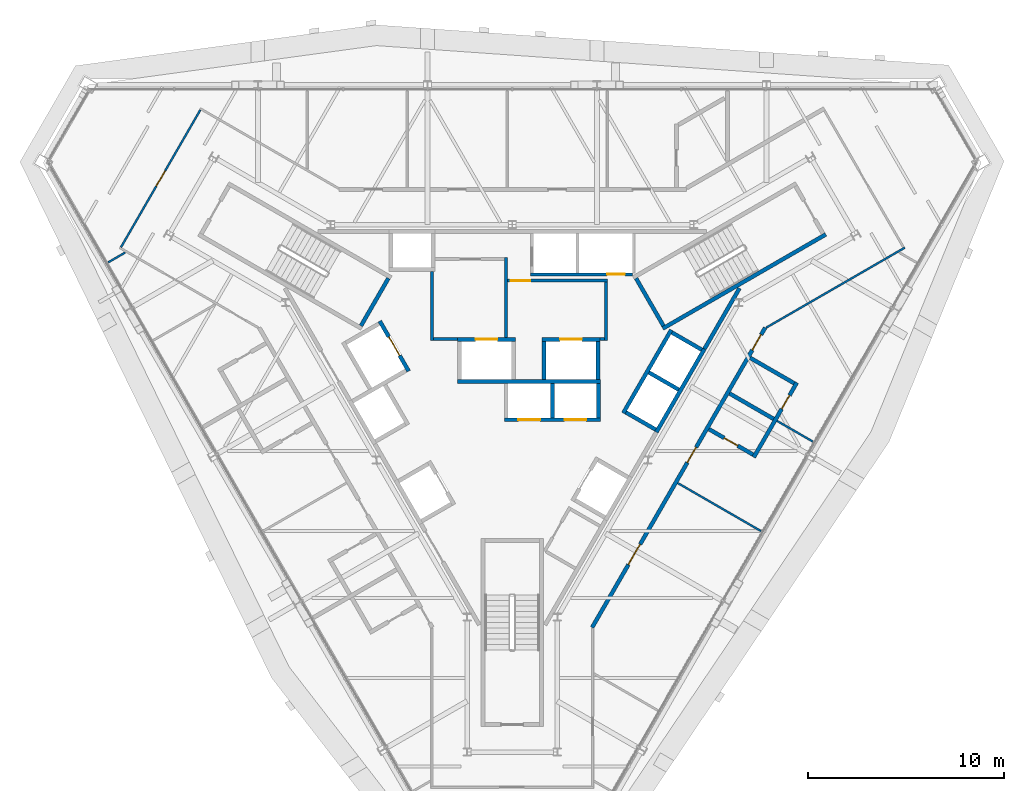
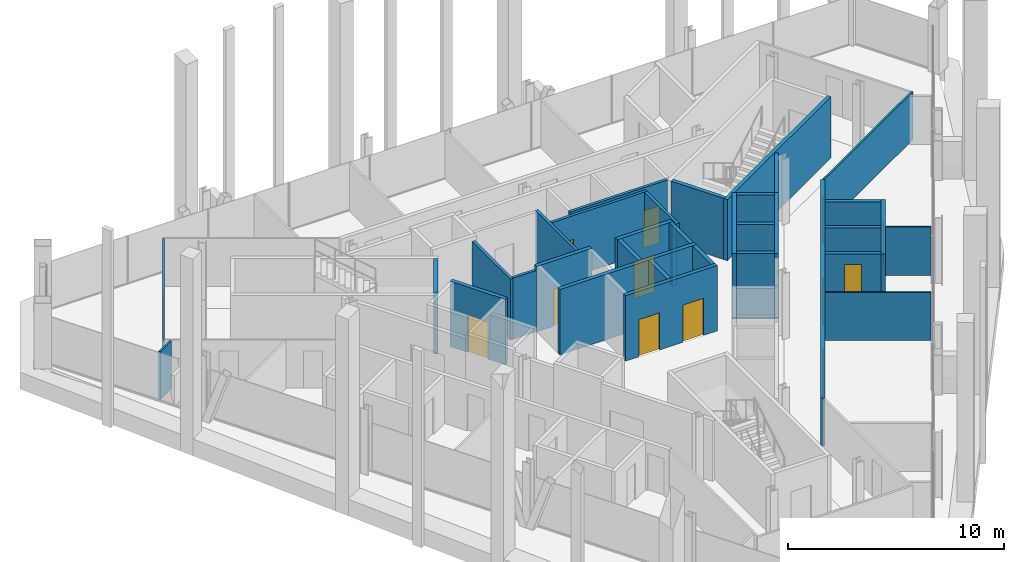
# One storey, part 10 of 14: 35 walls, 13 doors, 13 openings.
"""IFC4 building model written with IfcOpenShell, lengths in metres."""

from ifc_helpers import new_model, si_unit, direction, frame, frame_2d, origin, place, context, subcontext, project, spatial, rectangle, extrude, material, layer, layer_set, type_object, element, fill, save


model = new_model("IFC4")

# Units and contexts
model_context = context("Model", 3, precision=1e-05, world=origin(), true_north=direction((0.0, 1.0)))
body_context = subcontext(model_context, "Body", "Model", "MODEL_VIEW")
ifc_project = project(units=[si_unit("LENGTHUNIT", "METRE"), si_unit("AREAUNIT", "SQUARE_METRE"), si_unit("VOLUMEUNIT", "CUBIC_METRE"), si_unit("PLANEANGLEUNIT", "RADIAN"), si_unit("MASSUNIT", "GRAM", prefix="KILO")], contexts=[model_context])

# Site, building, storey
site_placement = place(None, origin())
site = spatial("IfcSite", under=ifc_project, at=site_placement, CompositionType="ELEMENT")
building_placement = place(site_placement, origin())
building = spatial("IfcBuilding", under=site, at=building_placement, Name="Verrane Prism Tower", CompositionType="ELEMENT")
storey_placement = place(building_placement, frame((0.0, 0.0, 206.39990234375)))
storey = spatial("IfcBuildingStorey", under=building, at=storey_placement, Name="L51", CompositionType="ELEMENT", Elevation=206.39990234375)

# Walls
ifc_material_1 = material(Name="Gypsum board partition", Category="other")
ifc_layer_1 = layer(ifc_material_1, 0.199951171875)
ifc_layer_set_1 = layer_set([ifc_layer_1], Name="CW-200 core boundary wall 2 h")
wall_type_1 = type_object("IfcWallType", Name="CW-200 core boundary wall 2 h", PredefinedType="PARTITIONING", material=ifc_layer_set_1)
wall_1_placement = place(storey_placement, frame((9.802978515625, 1.657958984375, 0.0), z_axis=(0.0, 0.0, 1.0), x_axis=(0.499943114462, 0.866058244174, 0.0)))
element("IfcWall", 1, at=wall_1_placement, inside=storey, type_object=wall_type_1, Name="Core boundary wall CW3-008", PredefinedType="PARTITIONING", context=body_context, shape_type="SweptSolid", body=[
    extrude(rectangle(XDim=3.57568359375, YDim=0.199951171875, at=frame_2d((1.787841796875, 0.0))), origin(), (0.0, 0.0, 1.0), 3.4501953125),
])
ifc_material_2 = material(Name="Concrete C40/50", Category="concrete")
ifc_layer_2 = layer(ifc_material_2, 0.199951171875)
ifc_layer_set_2 = layer_set([ifc_layer_2], Name="CW-200 stair core wall concrete C40/50 3 h")
wall_type_2 = type_object("IfcWallType", Name="CW-200 stair core wall concrete C40/50 3 h", PredefinedType="PARTITIONING", material=ifc_layer_set_2)
wall_2_placement = place(storey_placement, frame((7.67822265625, 2.700927734375, 0.0), z_axis=(0.0, 0.0, 1.0), x_axis=(0.866019993635, 0.500009370536, 0.0)))
element("IfcWall", 2, at=wall_2_placement, inside=storey, type_object=wall_type_2, Name="Stair 1 enclosure wall", PredefinedType="PARTITIONING", context=body_context, shape_type="SweptSolid", body=[
    extrude(rectangle(XDim=9.599853515625, YDim=0.199951171875, at=frame_2d((4.7998046875, 0.0))), origin(), (0.0, 0.0, 1.0), 3.4501953125),
])
for number, where, z_axis, x_axis, name in (
    (3, (7.71484375, 2.837646484375, 0.0), (0.0, 0.0, 1.0), (-0.500049511043, 0.865996816683, 0.0), "Stair 1 enclosure wall"),
    (4, (-6.314697265625, 5.262451171875, 0.0), (0.0, 0.0, 1.0), (-0.500049511043, -0.865996816683, 0.0), "Stair 2 enclosure wall"),
):
    element("IfcWall", number, at=place(storey_placement, frame(where, z_axis=z_axis, x_axis=x_axis)), inside=storey, type_object=wall_type_2, Name=name, PredefinedType="PARTITIONING", context=body_context, shape_type="SweptSolid", body=[
        extrude(rectangle(XDim=2.800048828125, YDim=0.199951171875, at=frame_2d((1.39990234375, 0.0))), origin(), (0.0, 0.0, 1.0), 3.4501953125),
    ])

# Wall, openings, doors
ifc_material_3 = material(Name="Gypsum board shaft wall assembly", Category="other")
ifc_layer_3 = layer(ifc_material_3, 0.199951171875)
ifc_layer_set_3 = layer_set([ifc_layer_3], Name="HW-200 lift shaft wall 2 h")
wall_type_3 = type_object("IfcWallType", Name="HW-200 lift shaft wall 2 h", PredefinedType="PARTITIONING", material=ifc_layer_set_3)
wall_3_placement = place(storey_placement, frame((-0.405029296875, -1.949951171875, 0.0), z_axis=(0.0, 0.0, 1.0), x_axis=(1.0, 0.0, 0.0)))
wall_3 = element("IfcWall", 5, at=wall_3_placement, inside=storey, type_object=wall_type_3, Name="Lift shaft wall", PredefinedType="PARTITIONING", context=body_context, shape_type="SweptSolid", body=[
    extrude(rectangle(XDim=4.900146484375, YDim=0.199951171875, at=frame_2d((2.4501953125, 0.0))), origin(), (0.0, 0.0, 1.0), 3.7001953125),
])
opening_1_placement = place(wall_3_placement, frame((0.72509765625, 0.0, 0.0)))
opening_1 = element("IfcOpeningElement", 6, at=opening_1_placement, cuts=wall_3, Name="Opening D51503", PredefinedType="OPENING", context=body_context, shape_type="SweptSolid", body=[
    extrude(rectangle(XDim=1.10009765625, YDim=2.10009765625, at=frame_2d((0.550048828125, 1.050048828125))), frame((0.0, 0.10986328125, 0.0), z_axis=(0.0, -1.0, 0.0), x_axis=(1.0, 0.0, 0.0)), (0.0, 0.0, 1.0), 0.219970703125),
])
opening_2_placement = place(wall_3_placement, frame((3.074951171875, 0.0, 0.0)))
opening_2 = element("IfcOpeningElement", 7, at=opening_2_placement, cuts=wall_3, Name="Opening D51504", PredefinedType="OPENING", context=body_context, shape_type="SweptSolid", body=[
    extrude(rectangle(XDim=1.10009765625, YDim=2.10009765625, at=frame_2d((0.550048828125, 1.050048828125))), frame((0.0, 0.10986328125, 0.0), z_axis=(0.0, -1.0, 0.0), x_axis=(1.0, 0.0, 0.0)), (0.0, 0.0, 1.0), 0.219970703125),
])
ifc_material_4 = material(Name="Stainless steel sliding landing door", Category="steel")
door_type_1 = type_object("IfcDoorType", Name="LD-1100x2100 lift landing door FD90 sliding", OperationType="NOTDEFINED", PredefinedType="DOOR", material=ifc_material_4)
door_1_placement = place(opening_1_placement, origin())
door_1 = element("IfcDoor", 8, at=door_1_placement, inside=storey, type_object=door_type_1, Name="Bank B lift 1 landing door", OperationType="SLIDING_TO_LEFT", OverallHeight=2.10009765625, OverallWidth=1.10009765625, PredefinedType="DOOR", context=body_context, shape_type="SweptSolid", body=[
    extrude(rectangle(XDim=1.10009765625, YDim=2.10009765625, at=frame_2d((0.550048828125, 1.050048828125))), frame((0.0, 0.02490234375, 0.0), z_axis=(0.0, -1.0, 0.0), x_axis=(1.0, 0.0, 0.0)), (0.0, 0.0, 1.0), 0.050048828125),
])
fill(opening_1, door_1)
door_2_placement = place(opening_2_placement, origin())
door_2 = element("IfcDoor", 9, at=door_2_placement, inside=storey, type_object=door_type_1, Name="Bank B lift 2 landing door", OperationType="SLIDING_TO_RIGHT", OverallHeight=2.10009765625, OverallWidth=1.10009765625, PredefinedType="DOOR", context=body_context, shape_type="SweptSolid", body=[
    extrude(rectangle(XDim=1.10009765625, YDim=2.10009765625, at=frame_2d((0.550048828125, 1.050048828125))), frame((0.0, 0.02490234375, 0.0), z_axis=(0.0, -1.0, 0.0), x_axis=(1.0, 0.0, 0.0)), (0.0, 0.0, 1.0), 0.050048828125),
])
fill(opening_2, door_2)

# Wall
wall_4_placement = place(storey_placement, frame((-2.784912109375, 0.0, 0.0), z_axis=(0.0, 0.0, 1.0), x_axis=(1.0, 0.0, 0.0)))
element("IfcWall", 10, at=wall_4_placement, inside=storey, type_object=wall_type_3, Name="Lift shaft wall", PredefinedType="PARTITIONING", context=body_context, shape_type="SweptSolid", body=[
    extrude(rectangle(XDim=7.280029296875, YDim=0.199951171875, at=frame_2d((3.64013671875, 0.0))), origin(), (0.0, 0.0, 1.0), 3.7001953125),
])

# Wall, opening, door
wall_5_placement = place(storey_placement, frame((-2.784912109375, 2.14990234375, 0.0), z_axis=(0.0, 0.0, 1.0), x_axis=(1.0, 0.0, 0.0)))
wall_5 = element("IfcWall", 11, at=wall_5_placement, inside=storey, type_object=wall_type_3, Name="Lift shaft wall", PredefinedType="PARTITIONING", context=body_context, shape_type="SweptSolid", body=[
    extrude(rectangle(XDim=2.949951171875, YDim=0.199951171875, at=frame_2d((1.47509765625, 0.0))), origin(), (0.0, 0.0, 1.0), 3.7001953125),
])
opening_3_placement = place(wall_5_placement, frame((0.925048828125, 0.0, 0.0)))
opening_3 = element("IfcOpeningElement", 12, at=opening_3_placement, cuts=wall_5, Name="Opening D51507", PredefinedType="OPENING", context=body_context, shape_type="SweptSolid", body=[
    extrude(rectangle(XDim=1.10009765625, YDim=2.10009765625, at=frame_2d((0.550048828125, 1.050048828125))), frame((0.0, 0.10986328125, 0.0), z_axis=(0.0, -1.0, 0.0), x_axis=(1.0, 0.0, 0.0)), (0.0, 0.0, 1.0), 0.219970703125),
])
door_3_placement = place(opening_3_placement, origin())
door_3 = element("IfcDoor", 13, at=door_3_placement, inside=storey, type_object=door_type_1, Name="Fire service lift 1 landing door", OperationType="SLIDING_TO_LEFT", OverallHeight=2.10009765625, OverallWidth=1.10009765625, PredefinedType="DOOR", context=body_context, shape_type="SweptSolid", body=[
    extrude(rectangle(XDim=1.10009765625, YDim=2.10009765625, at=frame_2d((0.550048828125, 1.050048828125))), frame((0.0, 0.02490234375, 0.0), z_axis=(0.0, -1.0, 0.0), x_axis=(1.0, 0.0, 0.0)), (0.0, 0.0, 1.0), 0.050048828125),
])
fill(opening_3, door_3)

wall_6_placement = place(storey_placement, frame((1.52490234375, 2.14990234375, 0.0), z_axis=(0.0, 0.0, 1.0), x_axis=(1.0, 0.0, 0.0)))
wall_6 = element("IfcWall", 14, at=wall_6_placement, inside=storey, type_object=wall_type_3, Name="Lift shaft wall", PredefinedType="PARTITIONING", context=body_context, shape_type="SweptSolid", body=[
    extrude(rectangle(XDim=2.9501953125, YDim=0.199951171875, at=frame_2d((1.47509765625, 0.0))), origin(), (0.0, 0.0, 1.0), 3.7001953125),
])
opening_4_placement = place(wall_6_placement, frame((0.925048828125, 0.0, 0.0)))
opening_4 = element("IfcOpeningElement", 15, at=opening_4_placement, cuts=wall_6, Name="Opening D51508", PredefinedType="OPENING", context=body_context, shape_type="SweptSolid", body=[
    extrude(rectangle(XDim=1.10009765625, YDim=2.10009765625, at=frame_2d((0.550048828125, 1.050048828125))), frame((0.0, 0.10986328125, 0.0), z_axis=(0.0, -1.0, 0.0), x_axis=(1.0, 0.0, 0.0)), (0.0, 0.0, 1.0), 0.219970703125),
])
door_4_placement = place(opening_4_placement, origin())
door_4 = element("IfcDoor", 16, at=door_4_placement, inside=storey, type_object=door_type_1, Name="Fire service lift 2 landing door", OperationType="SLIDING_TO_RIGHT", OverallHeight=2.10009765625, OverallWidth=1.10009765625, PredefinedType="DOOR", context=body_context, shape_type="SweptSolid", body=[
    extrude(rectangle(XDim=1.10009765625, YDim=2.10009765625, at=frame_2d((0.550048828125, 1.050048828125))), frame((0.0, 0.02490234375, 0.0), z_axis=(0.0, -1.0, 0.0), x_axis=(1.0, 0.0, 0.0)), (0.0, 0.0, 1.0), 0.050048828125),
])
fill(opening_4, door_4)

# Walls
wall_7_placement = place(storey_placement, frame((7.351318359375, -2.587158203125, 0.0), z_axis=(0.0, 0.0, 1.0), x_axis=(0.500002801628, 0.866023786258, 0.0)))
element("IfcWall", 17, at=wall_7_placement, inside=storey, type_object=wall_type_3, Name="Lift shaft wall", PredefinedType="PARTITIONING", context=body_context, shape_type="SweptSolid", body=[
    extrude(rectangle(XDim=4.89990234375, YDim=0.199951171875, at=frame_2d((2.449951171875, 0.0))), origin(), (0.0, 0.0, 1.0), 3.7001953125),
])
wall_8_placement = place(storey_placement, frame((5.66259765625, -1.6123046875, 0.0), z_axis=(0.0, 0.0, 1.0), x_axis=(0.49998122708, 0.866036242063, 0.0)))
element("IfcWall", 18, at=wall_8_placement, inside=storey, type_object=wall_type_3, Name="Lift shaft wall", PredefinedType="PARTITIONING", context=body_context, shape_type="SweptSolid", body=[
    extrude(rectangle(XDim=4.900146484375, YDim=0.199951171875, at=frame_2d((2.4501953125, 0.0))), origin(), (0.0, 0.0, 1.0), 3.7001953125),
])
wall_9_placement = place(storey_placement, frame((4.39501953125, -1.85009765625, 0.0), z_axis=(0.0, 0.0, 1.0), x_axis=(0.0, 1.0, 0.0)))
element("IfcWall", 19, at=wall_9_placement, inside=storey, type_object=wall_type_3, Name="Lift shaft wall", PredefinedType="PARTITIONING", context=body_context, shape_type="SweptSolid", body=[
    extrude(rectangle(XDim=1.75, YDim=0.199951171875, at=frame_2d((0.875, 0.0))), origin(), (0.0, 0.0, 1.0), 3.7001953125),
])
wall_10_placement = place(storey_placement, frame((4.375, 0.10009765625, 0.0), z_axis=(0.0, 0.0, 1.0), x_axis=(0.0, 1.0, 0.0)))
element("IfcWall", 20, at=wall_10_placement, inside=storey, type_object=wall_type_3, Name="Lift shaft wall", PredefinedType="PARTITIONING", context=body_context, shape_type="SweptSolid", body=[
    extrude(rectangle(XDim=1.949951171875, YDim=0.199951171875, at=frame_2d((0.97509765625, 0.0))), origin(), (0.0, 0.0, 1.0), 3.7001953125),
])
wall_11_placement = place(storey_placement, frame((2.044921875, -1.85009765625, 0.0), z_axis=(0.0, 0.0, 1.0), x_axis=(0.0, 1.0, 0.0)))
element("IfcWall", 21, at=wall_11_placement, inside=storey, type_object=wall_type_3, Name="Lift shaft wall", PredefinedType="PARTITIONING", context=body_context, shape_type="SweptSolid", body=[
    extrude(rectangle(XDim=1.75, YDim=0.199951171875, at=frame_2d((0.875, 0.0))), origin(), (0.0, 0.0, 1.0), 3.7001953125),
])
wall_12_placement = place(storey_placement, frame((1.625, 0.10009765625, 0.0), z_axis=(0.0, 0.0, 1.0), x_axis=(0.0, 1.0, 0.0)))
element("IfcWall", 22, at=wall_12_placement, inside=storey, type_object=wall_type_3, Name="Lift shaft wall", PredefinedType="PARTITIONING", context=body_context, shape_type="SweptSolid", body=[
    extrude(rectangle(XDim=1.949951171875, YDim=0.199951171875, at=frame_2d((0.97509765625, 0.0))), origin(), (0.0, 0.0, 1.0), 3.7001953125),
])

# Wall, opening, door
wall_13_placement = place(storey_placement, frame((-5.280029296875, 0.525390625, 0.0), z_axis=(0.0, 0.0, 1.0), x_axis=(-0.500037662692, 0.866003658127, 0.0)))
wall_13 = element("IfcWall", 23, at=wall_13_placement, inside=storey, type_object=wall_type_3, Name="Lift shaft wall", PredefinedType="PARTITIONING", context=body_context, shape_type="SweptSolid", body=[
    extrude(rectangle(XDim=2.949951171875, YDim=0.199951171875, at=frame_2d((1.47509765625, 0.0))), origin(), (0.0, 0.0, 1.0), 3.7001953125),
])
opening_5_placement = place(wall_13_placement, frame((0.925048828125, 0.0, 0.0)))
opening_5 = element("IfcOpeningElement", 24, at=opening_5_placement, cuts=wall_13, Name="Opening D51509", PredefinedType="OPENING", context=body_context, shape_type="SweptSolid", body=[
    extrude(rectangle(XDim=1.10009765625, YDim=2.10009765625, at=frame_2d((0.550048828125, 1.050048828125))), frame((0.0, 0.10986328125, 0.0), z_axis=(0.0, -1.0, 0.0), x_axis=(1.0, 0.0, 0.0)), (0.0, 0.0, 1.0), 0.219970703125),
])
door_5_placement = place(opening_5_placement, origin())
door_5 = element("IfcDoor", 25, at=door_5_placement, inside=storey, type_object=door_type_1, Name="Service lift 1 landing door", OperationType="SLIDING_TO_LEFT", OverallHeight=2.10009765625, OverallWidth=1.10009765625, PredefinedType="DOOR", context=body_context, shape_type="SweptSolid", body=[
    extrude(rectangle(XDim=1.10009765625, YDim=2.10009765625, at=frame_2d((0.550048828125, 1.050048828125))), frame((0.0, 0.02490234375, 0.0), z_axis=(0.0, -1.0, 0.0), x_axis=(1.0, 0.0, 0.0)), (0.0, 0.0, 1.0), 0.050048828125),
])
fill(opening_5, door_5)

# Walls
wall_14_placement = place(storey_placement, frame((9.66455078125, 1.61962890625, 0.0), z_axis=(0.0, 0.0, 1.0), x_axis=(-0.866002029911, 0.500040482552, 0.0)))
element("IfcWall", 26, at=wall_14_placement, inside=storey, type_object=wall_type_3, Name="Lift shaft wall", PredefinedType="PARTITIONING", context=body_context, shape_type="SweptSolid", body=[
    extrude(rectangle(XDim=1.749755859375, YDim=0.199951171875, at=frame_2d((0.875, 0.0))), origin(), (0.0, 0.0, 1.0), 3.7001953125),
])
for number, where, z_axis, x_axis, name in (
    (27, (8.48974609375, -0.41552734375, 0.0), (0.0, 0.0, 1.0), (-0.866036909293, 0.499980071345, 0.0), "Lift shaft wall"),
    (28, (7.314697265625, -2.45068359375, 0.0), (0.0, 0.0, 1.0), (-0.866036909293, 0.499980071345, 0.0), "Lift shaft wall"),
):
    element("IfcWall", number, at=place(storey_placement, frame(where, z_axis=z_axis, x_axis=x_axis)), inside=storey, type_object=wall_type_3, Name=name, PredefinedType="PARTITIONING", context=body_context, shape_type="SweptSolid", body=[
        extrude(rectangle(XDim=1.75, YDim=0.199951171875, at=frame_2d((0.875, 0.0))), origin(), (0.0, 0.0, 1.0), 3.7001953125),
    ])
ifc_material_5 = material(Name="Gypsum board partition", Category="other")
ifc_layer_4 = layer(ifc_material_5, 0.14990234375)
ifc_layer_set_4 = layer_set([ifc_layer_4], Name="LF-150 firefighting lobby wall 1 h")
wall_type_4 = type_object("IfcWallType", Name="LF-150 firefighting lobby wall 1 h", PredefinedType="PARTITIONING", material=ifc_layer_set_4)
wall_15_placement = place(storey_placement, frame((-4.10009765625, 2.0849609375, 0.0), z_axis=(0.0, 0.0, 1.0), x_axis=(0.0, 1.0, 0.0)))
element("IfcWall", 29, at=wall_15_placement, inside=storey, type_object=wall_type_4, Name="Firefighting lobby wall LF1-001", PredefinedType="PARTITIONING", context=body_context, shape_type="SweptSolid", body=[
    extrude(rectangle(XDim=3.52294921875, YDim=0.14990234375, at=frame_2d((1.761474609375, 0.0))), origin(), (0.0, 0.0, 1.0), 3.4501953125),
])
wall_16_placement = place(storey_placement, frame((-4.02490234375, 2.159912109375, 0.0), z_axis=(0.0, 0.0, 1.0), x_axis=(1.0, 0.0, 0.0)))
element("IfcWall", 30, at=wall_16_placement, inside=storey, type_object=wall_type_4, Name="Firefighting lobby wall LF1-002", PredefinedType="PARTITIONING", context=body_context, shape_type="SweptSolid", body=[
    extrude(rectangle(XDim=1.23779296875, YDim=0.14990234375, at=frame_2d((0.618896484375, 0.0))), origin(), (0.0, 0.0, 1.0), 3.4501953125),
])
wall_17_placement = place(storey_placement, frame((-0.320068359375, 2.251953125, 0.0), z_axis=(0.0, 0.0, 1.0), x_axis=(0.0, 1.0, 0.0)))
element("IfcWall", 31, at=wall_17_placement, inside=storey, type_object=wall_type_4, Name="Firefighting lobby wall LF1-004", PredefinedType="PARTITIONING", context=body_context, shape_type="SweptSolid", body=[
    extrude(rectangle(XDim=4.06298828125, YDim=0.14990234375, at=frame_2d((2.031494140625, 0.0))), origin(), (0.0, 0.0, 1.0), 3.4501953125),
])

# Wall, opening, door
wall_18_placement = place(storey_placement, frame((-0.2451171875, 5.139892578125, 0.0), z_axis=(0.0, 0.0, 1.0), x_axis=(1.0, 0.0, 0.0)))
wall_18 = element("IfcWall", 32, at=wall_18_placement, inside=storey, type_object=wall_type_4, Name="Firefighting lobby wall LF1-005", PredefinedType="PARTITIONING", context=body_context, shape_type="SweptSolid", body=[
    extrude(rectangle(XDim=5.110107421875, YDim=0.14990234375, at=frame_2d((2.55517578125, 0.0))), origin(), (0.0, 0.0, 1.0), 3.4501953125),
])
opening_6_placement = place(wall_18_placement, frame((0.175048828125, 0.0, 0.0)))
opening_6 = element("IfcOpeningElement", 33, at=opening_6_placement, cuts=wall_18, Name="Opening D51513", PredefinedType="OPENING", context=body_context, shape_type="SweptSolid", body=[
    extrude(rectangle(XDim=1.0, YDim=2.10009765625, at=frame_2d((0.5, 1.050048828125))), frame((0.0, 0.0849609375, 0.0), z_axis=(0.0, -1.0, 0.0), x_axis=(1.0, 0.0, 0.0)), (0.0, 0.0, 1.0), 0.169921875),
])
ifc_material_6 = material(Name="Timber veneered door leaf", Category="wood")
door_type_2 = type_object("IfcDoorType", Name="DR-1000x2100 FD60 single leaf firefighting lobby", OperationType="NOTDEFINED", PredefinedType="DOOR", material=ifc_material_6)
door_6_placement = place(opening_6_placement, origin())
door_6 = element("IfcDoor", 34, at=door_6_placement, inside=storey, type_object=door_type_2, Name="Firefighting lobby door D51513", OperationType="SINGLE_SWING_LEFT", OverallHeight=2.10009765625, OverallWidth=1.0, PredefinedType="DOOR", context=body_context, shape_type="SweptSolid", body=[
    extrude(rectangle(XDim=1.0, YDim=2.10009765625, at=frame_2d((0.5, 1.050048828125))), frame((0.0, 0.02490234375, 0.0), z_axis=(0.0, -1.0, 0.0), x_axis=(1.0, 0.0, 0.0)), (0.0, 0.0, 1.0), 0.050048828125),
])
fill(opening_6, door_6)

# Walls
wall_19_placement = place(storey_placement, frame((4.47705078125, 2.159912109375, 0.0), z_axis=(0.0, 0.0, 1.0), x_axis=(1.0, 0.0, 0.0)))
element("IfcWall", 35, at=wall_19_placement, inside=storey, type_object=wall_type_4, Name="Firefighting lobby wall LF1-006", PredefinedType="PARTITIONING", context=body_context, shape_type="SweptSolid", body=[
    extrude(rectangle(XDim=0.238037109375, YDim=0.14990234375, at=frame_2d((0.119140625, 0.0))), origin(), (0.0, 0.0, 1.0), 3.4501953125),
])
wall_20_placement = place(storey_placement, frame((4.7900390625, 2.0849609375, 0.0), z_axis=(0.0, 0.0, 1.0), x_axis=(0.0, 1.0, 0.0)))
element("IfcWall", 36, at=wall_20_placement, inside=storey, type_object=wall_type_4, Name="Firefighting lobby wall LF1-007", PredefinedType="PARTITIONING", context=body_context, shape_type="SweptSolid", body=[
    extrude(rectangle(XDim=2.97998046875, YDim=0.14990234375, at=frame_2d((1.489990234375, 0.0))), origin(), (0.0, 0.0, 1.0), 3.4501953125),
])
ifc_material_7 = material(Name="Gypsum board partition", Category="other")
ifc_layer_5 = layer(ifc_material_7, 0.10009765625)
ifc_layer_set_5 = layer_set([ifc_layer_5], Name="PW-100 room partition")
wall_type_5 = type_object("IfcWallType", Name="PW-100 room partition", PredefinedType="PARTITIONING", material=ifc_layer_set_5)
wall_21_placement = place(storey_placement, frame((-20.603515625, 6.076171875, 0.0), z_axis=(0.0, 0.0, 1.0), x_axis=(0.865855657918, 0.500293893279, 0.0)))
element("IfcWall", 37, at=wall_21_placement, inside=storey, type_object=wall_type_5, Name="Room partition 001", PredefinedType="PARTITIONING", context=body_context, shape_type="SweptSolid", body=[
    extrude(rectangle(XDim=0.99853515625, YDim=0.10009765625, at=frame_2d((0.499267578125, 0.0))), origin(), (0.0, 0.0, 1.0), 2.713134765625),
])

# Wall, opening, door
wall_22_placement = place(storey_placement, frame((-19.955078125, 6.84423828125, 0.0), z_axis=(0.0, 0.0, 1.0), x_axis=(0.500415732313, 0.865785247537, 0.0)))
wall_22 = element("IfcWall", 38, at=wall_22_placement, inside=storey, type_object=wall_type_5, Name="Room partition 002", PredefinedType="PARTITIONING", context=body_context, shape_type="SweptSolid", body=[
    extrude(rectangle(XDim=8.09716796875, YDim=0.10009765625, at=frame_2d((4.048583984375, 0.0))), origin(), (0.0, 0.0, 1.0), 2.713134765625),
])
opening_7_placement = place(wall_22_placement, frame((3.60009765625, 0.0, 0.0)))
opening_7 = element("IfcOpeningElement", 39, at=opening_7_placement, cuts=wall_22, Name="Opening D51013", PredefinedType="OPENING", context=body_context, shape_type="SweptSolid", body=[
    extrude(rectangle(XDim=0.89990234375, YDim=2.10009765625, at=frame_2d((0.449951171875, 1.050048828125))), frame((0.0, 0.06005859375, 0.0), z_axis=(0.0, -1.0, 0.0), x_axis=(1.0, 0.0, 0.0)), (0.0, 0.0, 1.0), 0.1201171875),
])
ifc_material_8 = material(Name="Timber veneered door leaf", Category="wood")
door_type_3 = type_object("IfcDoorType", Name="DR-900x2100 single leaf unit", OperationType="NOTDEFINED", PredefinedType="DOOR", material=ifc_material_8)
door_7_placement = place(opening_7_placement, origin())
door_7 = element("IfcDoor", 40, at=door_7_placement, inside=storey, type_object=door_type_3, Name="Study door", OperationType="SINGLE_SWING_LEFT", OverallHeight=2.10009765625, OverallWidth=0.89990234375, PredefinedType="DOOR", context=body_context, shape_type="SweptSolid", body=[
    extrude(rectangle(XDim=0.89990234375, YDim=2.10009765625, at=frame_2d((0.449951171875, 1.050048828125))), frame((0.0, 0.02490234375, 0.0), z_axis=(0.0, -1.0, 0.0), x_axis=(1.0, 0.0, 0.0)), (0.0, 0.0, 1.0), 0.050048828125),
])
fill(opening_7, door_7)

# Walls
wall_23_placement = place(storey_placement, frame((8.447021484375, -5.182373046875, 0.0), z_axis=(0.0, 0.0, 1.0), x_axis=(0.866106755222, -0.499859068697, 0.0)))
element("IfcWall", 41, at=wall_23_placement, inside=storey, type_object=wall_type_5, Name="Room partition 030", PredefinedType="PARTITIONING", context=body_context, shape_type="SweptSolid", body=[
    extrude(rectangle(XDim=4.89892578125, YDim=0.10009765625, at=frame_2d((2.449462890625, 0.0))), origin(), (0.0, 0.0, 1.0), 2.713134765625),
])
wall_24_placement = place(storey_placement, frame((12.95166015625, 2.744384765625, 0.0), z_axis=(0.0, 0.0, 1.0), x_axis=(0.86608949446, 0.499888975259, 0.0)))
element("IfcWall", 42, at=wall_24_placement, inside=storey, type_object=wall_type_5, Name="Room partition 039", PredefinedType="PARTITIONING", context=body_context, shape_type="SweptSolid", body=[
    extrude(rectangle(XDim=8.164794921875, YDim=0.10009765625, at=frame_2d((4.08251953125, 0.0))), origin(), (0.0, 0.0, 1.0), 2.713134765625),
])
wall_25_placement = place(storey_placement, frame((13.510009765625, -2.012451171875, 0.0), z_axis=(0.0, 0.0, 1.0), x_axis=(0.866022890907, -0.500004352405, 0.0)))
element("IfcWall", 43, at=wall_25_placement, inside=storey, type_object=wall_type_5, Name="Room partition 040", PredefinedType="PARTITIONING", context=body_context, shape_type="SweptSolid", body=[
    extrude(rectangle(XDim=2.09912109375, YDim=0.10009765625, at=frame_2d((1.049560546875, 0.0))), origin(), (0.0, 0.0, 1.0), 2.713134765625),
])

# Wall, openings, doors
ifc_material_9 = material(Name="Gypsum board partition", Category="other")
ifc_layer_6 = layer(ifc_material_9, 0.199951171875)
ifc_layer_set_6 = layer_set([ifc_layer_6], Name="PW-200 plumbing wall")
wall_type_6 = type_object("IfcWallType", Name="PW-200 plumbing wall", PredefinedType="PARTITIONING", material=ifc_layer_set_6)
wall_26_placement = place(storey_placement, frame((12.903076171875, 2.745361328125, 0.0), z_axis=(0.0, 0.0, 1.0), x_axis=(-0.499999743747, -0.866025551732, 0.0)))
wall_26 = element("IfcWall", 44, at=wall_26_placement, inside=storey, type_object=wall_type_6, Name="Plumbing wall 028", PredefinedType="PARTITIONING", context=body_context, shape_type="SweptSolid", body=[
    extrude(rectangle(XDim=17.65625, YDim=0.199951171875, at=frame_2d((8.828125, 0.0))), origin(), (0.0, 0.0, 1.0), 2.713134765625),
])
opening_8_placement = place(wall_26_placement, frame((12.756103515625, 0.0, 0.0)))
opening_8 = element("IfcOpeningElement", 45, at=opening_8_placement, cuts=wall_26, Name="Opening D51002", PredefinedType="OPENING", context=body_context, shape_type="SweptSolid", body=[
    extrude(rectangle(XDim=1.199951171875, YDim=2.10009765625, at=frame_2d((0.60009765625, 1.050048828125))), frame((0.0, 0.10986328125, 0.0), z_axis=(0.0, -1.0, 0.0), x_axis=(1.0, 0.0, 0.0)), (0.0, 0.0, 1.0), 0.219970703125),
])
opening_9_placement = place(wall_26_placement, frame((7.0439453125, 0.0, 0.0)))
opening_9 = element("IfcOpeningElement", 46, at=opening_9_placement, cuts=wall_26, Name="Opening D51003", PredefinedType="OPENING", context=body_context, shape_type="SweptSolid", body=[
    extrude(rectangle(XDim=0.89990234375, YDim=2.10009765625, at=frame_2d((0.449951171875, 1.050048828125))), frame((0.0, 0.10986328125, 0.0), z_axis=(0.0, -1.0, 0.0), x_axis=(1.0, 0.0, 0.0)), (0.0, 0.0, 1.0), 0.219970703125),
])
opening_10_placement = place(wall_26_placement, frame((0.4169921875, 0.0, 0.0)))
opening_10 = element("IfcOpeningElement", 47, at=opening_10_placement, cuts=wall_26, Name="Opening D51005", PredefinedType="OPENING", context=body_context, shape_type="SweptSolid", body=[
    extrude(rectangle(XDim=0.89990234375, YDim=2.10009765625, at=frame_2d((0.449951171875, 1.050048828125))), frame((0.0, 0.10986328125, 0.0), z_axis=(0.0, -1.0, 0.0), x_axis=(1.0, 0.0, 0.0)), (0.0, 0.0, 1.0), 0.219970703125),
])
ifc_material_10 = material(Name="Timber veneered door leaf", Category="wood")
door_type_4 = type_object("IfcDoorType", Name="DR-1200x2100 single leaf unit", OperationType="NOTDEFINED", PredefinedType="DOOR", material=ifc_material_10)
door_8_placement = place(opening_8_placement, origin())
door_8 = element("IfcDoor", 48, at=door_8_placement, inside=storey, type_object=door_type_4, Name="Living And Dining Room door", OperationType="SINGLE_SWING_LEFT", OverallHeight=2.10009765625, OverallWidth=1.199951171875, PredefinedType="DOOR", context=body_context, shape_type="SweptSolid", body=[
    extrude(rectangle(XDim=1.199951171875, YDim=2.10009765625, at=frame_2d((0.60009765625, 1.050048828125))), frame((0.0, 0.02490234375, 0.0), z_axis=(0.0, -1.0, 0.0), x_axis=(1.0, 0.0, 0.0)), (0.0, 0.0, 1.0), 0.050048828125),
])
fill(opening_8, door_8)
ifc_material_11 = material(Name="Timber veneered door leaf", Category="wood")
door_type_5 = type_object("IfcDoorType", Name="DR-900x2100 single leaf inner", OperationType="NOTDEFINED", PredefinedType="DOOR", material=ifc_material_11)
door_9_placement = place(opening_9_placement, origin())
door_9 = element("IfcDoor", 49, at=door_9_placement, inside=storey, type_object=door_type_5, Name="Bedroom door", OperationType="SINGLE_SWING_RIGHT", OverallHeight=2.10009765625, OverallWidth=0.89990234375, PredefinedType="DOOR", context=body_context, shape_type="SweptSolid", body=[
    extrude(rectangle(XDim=0.89990234375, YDim=2.10009765625, at=frame_2d((0.449951171875, 1.050048828125))), frame((0.0, 0.02490234375, 0.0), z_axis=(0.0, -1.0, 0.0), x_axis=(1.0, 0.0, 0.0)), (0.0, 0.0, 1.0), 0.050048828125),
])
fill(opening_9, door_9)
door_10_placement = place(opening_10_placement, origin())
door_10 = element("IfcDoor", 50, at=door_10_placement, inside=storey, type_object=door_type_5, Name="Bedroom door", OperationType="SINGLE_SWING_RIGHT", OverallHeight=2.10009765625, OverallWidth=0.89990234375, PredefinedType="DOOR", context=body_context, shape_type="SweptSolid", body=[
    extrude(rectangle(XDim=0.89990234375, YDim=2.10009765625, at=frame_2d((0.449951171875, 1.050048828125))), frame((0.0, 0.02490234375, 0.0), z_axis=(0.0, -1.0, 0.0), x_axis=(1.0, 0.0, 0.0)), (0.0, 0.0, 1.0), 0.050048828125),
])
fill(opening_10, door_10)

# Wall, opening, door
wall_27_placement = place(storey_placement, frame((10.034912109375, -2.431396484375, 0.0), z_axis=(0.0, 0.0, 1.0), x_axis=(0.866028930478, -0.499993891537, 0.0)))
wall_27 = element("IfcWall", 51, at=wall_27_placement, inside=storey, type_object=wall_type_6, Name="Plumbing wall 034", PredefinedType="PARTITIONING", context=body_context, shape_type="SweptSolid", body=[
    extrude(rectangle(XDim=2.59521484375, YDim=0.199951171875, at=frame_2d((1.297607421875, 0.0))), origin(), (0.0, 0.0, 1.0), 2.713134765625),
])
opening_11_placement = place(wall_27_placement, frame((0.89501953125, 0.0, 0.0)))
opening_11 = element("IfcOpeningElement", 52, at=opening_11_placement, cuts=wall_27, Name="Opening D51004", PredefinedType="OPENING", context=body_context, shape_type="SweptSolid", body=[
    extrude(rectangle(XDim=0.800048828125, YDim=2.10009765625, at=frame_2d((0.39990234375, 1.050048828125))), frame((0.0, 0.10986328125, 0.0), z_axis=(0.0, -1.0, 0.0), x_axis=(1.0, 0.0, 0.0)), (0.0, 0.0, 1.0), 0.219970703125),
])
ifc_material_12 = material(Name="Timber veneered door leaf", Category="wood")
door_type_6 = type_object("IfcDoorType", Name="DR-800x2100 single leaf bath", OperationType="NOTDEFINED", PredefinedType="DOOR", material=ifc_material_12)
door_11_placement = place(opening_11_placement, origin())
door_11 = element("IfcDoor", 53, at=door_11_placement, inside=storey, type_object=door_type_6, Name="Bathroom door", OperationType="SINGLE_SWING_RIGHT", OverallHeight=2.10009765625, OverallWidth=0.800048828125, PredefinedType="DOOR", context=body_context, shape_type="SweptSolid", body=[
    extrude(rectangle(XDim=0.800048828125, YDim=2.10009765625, at=frame_2d((0.39990234375, 1.050048828125))), frame((0.0, 0.02490234375, 0.0), z_axis=(0.0, -1.0, 0.0), x_axis=(1.0, 0.0, 0.0)), (0.0, 0.0, 1.0), 0.050048828125),
])
fill(opening_11, door_11)

# Walls
for number, where, z_axis, x_axis, name in (
    (54, (11.0849609375, -0.612548828125, 0.0), (0.0, 0.0, 1.0), (0.866046148833, -0.4999640668, 0.0), "Plumbing wall 036"),
    (55, (12.135009765625, 1.20556640625, 0.0), (0.0, 0.0, 1.0), (0.866005410122, -0.500034628441, 0.0), "Plumbing wall 037"),
):
    element("IfcWall", number, at=place(storey_placement, frame(where, z_axis=z_axis, x_axis=x_axis)), inside=storey, type_object=wall_type_6, Name=name, PredefinedType="PARTITIONING", context=body_context, shape_type="SweptSolid", body=[
        extrude(rectangle(XDim=2.594970703125, YDim=0.199951171875, at=frame_2d((1.29736328125, 0.0))), origin(), (0.0, 0.0, 1.0), 2.713134765625),
    ])

# Wall, opening, door
wall_28_placement = place(storey_placement, frame((12.319091796875, -3.86572265625, 0.0), z_axis=(0.0, 0.0, 1.0), x_axis=(0.50001224981, 0.866018331238, 0.0)))
wall_28 = element("IfcWall", 56, at=wall_28_placement, inside=storey, type_object=wall_type_6, Name="Plumbing wall 038", PredefinedType="PARTITIONING", context=body_context, shape_type="SweptSolid", body=[
    extrude(rectangle(XDim=4.39990234375, YDim=0.199951171875, at=frame_2d((2.199951171875, 0.0))), origin(), (0.0, 0.0, 1.0), 2.713134765625),
])
opening_12_placement = place(wall_28_placement, frame((2.85009765625, 0.0, 0.0)))
opening_12 = element("IfcOpeningElement", 57, at=opening_12_placement, cuts=wall_28, Name="Opening D51006", PredefinedType="OPENING", context=body_context, shape_type="SweptSolid", body=[
    extrude(rectangle(XDim=0.800048828125, YDim=2.10009765625, at=frame_2d((0.39990234375, 1.050048828125))), frame((0.0, 0.10986328125, 0.0), z_axis=(0.0, -1.0, 0.0), x_axis=(1.0, 0.0, 0.0)), (0.0, 0.0, 1.0), 0.219970703125),
])
door_12_placement = place(opening_12_placement, origin())
door_12 = element("IfcDoor", 58, at=door_12_placement, inside=storey, type_object=door_type_6, Name="Bathroom door", OperationType="SINGLE_SWING_RIGHT", OverallHeight=2.10009765625, OverallWidth=0.800048828125, PredefinedType="DOOR", context=body_context, shape_type="SweptSolid", body=[
    extrude(rectangle(XDim=0.800048828125, YDim=2.10009765625, at=frame_2d((0.39990234375, 1.050048828125))), frame((0.0, 0.02490234375, 0.0), z_axis=(0.0, -1.0, 0.0), x_axis=(1.0, 0.0, 0.0)), (0.0, 0.0, 1.0), 0.050048828125),
])
fill(opening_12, door_12)

ifc_material_13 = material(Name="Gypsum board partition", Category="other")
ifc_layer_7 = layer(ifc_material_13, 0.14990234375)
ifc_layer_set_7 = layer_set([ifc_layer_7], Name="RS-150 riser enclosure wall 1 h")
wall_type_7 = type_object("IfcWallType", Name="RS-150 riser enclosure wall 1 h", PredefinedType="PARTITIONING", material=ifc_layer_set_7)
wall_29_placement = place(storey_placement, frame((0.925048828125, 5.4599609375, 0.0), z_axis=(0.0, 0.0, 1.0), x_axis=(1.0, 0.0, 0.0)))
wall_29 = element("IfcWall", 59, at=wall_29_placement, inside=storey, type_object=wall_type_7, Name="Riser wall RS3-002", PredefinedType="PARTITIONING", context=body_context, shape_type="SweptSolid", body=[
    extrude(rectangle(XDim=5.219970703125, YDim=0.14990234375, at=frame_2d((2.60986328125, 0.0))), origin(), (0.0, 0.0, 1.0), 3.4501953125),
])
opening_13_placement = place(wall_29_placement, frame((3.9150390625, 0.0, 0.0)))
opening_13 = element("IfcOpeningElement", 60, at=opening_13_placement, cuts=wall_29, Name="Opening D51515", PredefinedType="OPENING", context=body_context, shape_type="SweptSolid", body=[
    extrude(rectangle(XDim=0.89990234375, YDim=2.10009765625, at=frame_2d((0.449951171875, 1.050048828125))), frame((0.0, 0.0849609375, 0.0), z_axis=(0.0, -1.0, 0.0), x_axis=(1.0, 0.0, 0.0)), (0.0, 0.0, 1.0), 0.169921875),
])
ifc_material_14 = material(Name="Timber veneered door leaf", Category="wood")
door_type_7 = type_object("IfcDoorType", Name="DR-900x2100 FD60 single leaf riser", OperationType="NOTDEFINED", PredefinedType="DOOR", material=ifc_material_14)
door_13_placement = place(opening_13_placement, origin())
door_13 = element("IfcDoor", 61, at=door_13_placement, inside=storey, type_object=door_type_7, Name="Riser door D51515", OperationType="SINGLE_SWING_RIGHT", OverallHeight=2.10009765625, OverallWidth=0.89990234375, PredefinedType="DOOR", context=body_context, shape_type="SweptSolid", body=[
    extrude(rectangle(XDim=0.89990234375, YDim=2.10009765625, at=frame_2d((0.449951171875, 1.050048828125))), frame((0.0, 0.02490234375, 0.0), z_axis=(0.0, -1.0, 0.0), x_axis=(1.0, 0.0, 0.0)), (0.0, 0.0, 1.0), 0.050048828125),
])
fill(opening_13, door_13)

save(model, "model.ifc")
